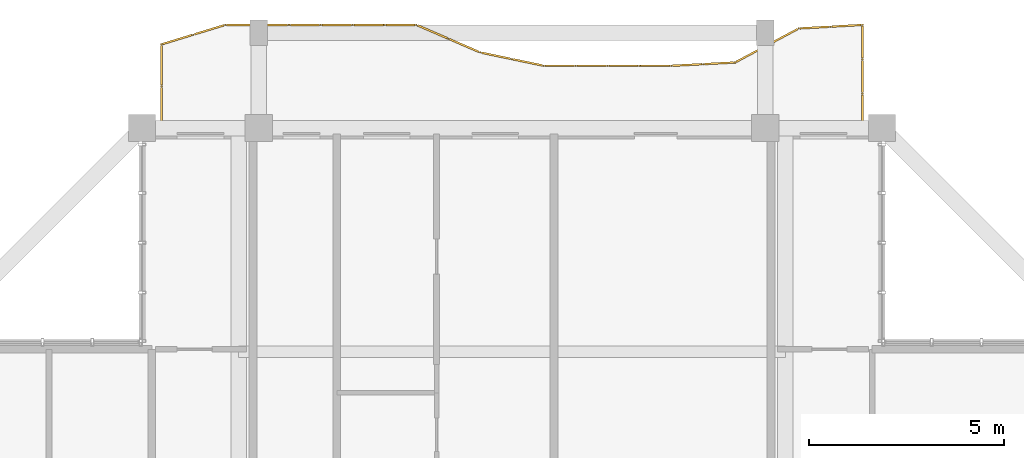
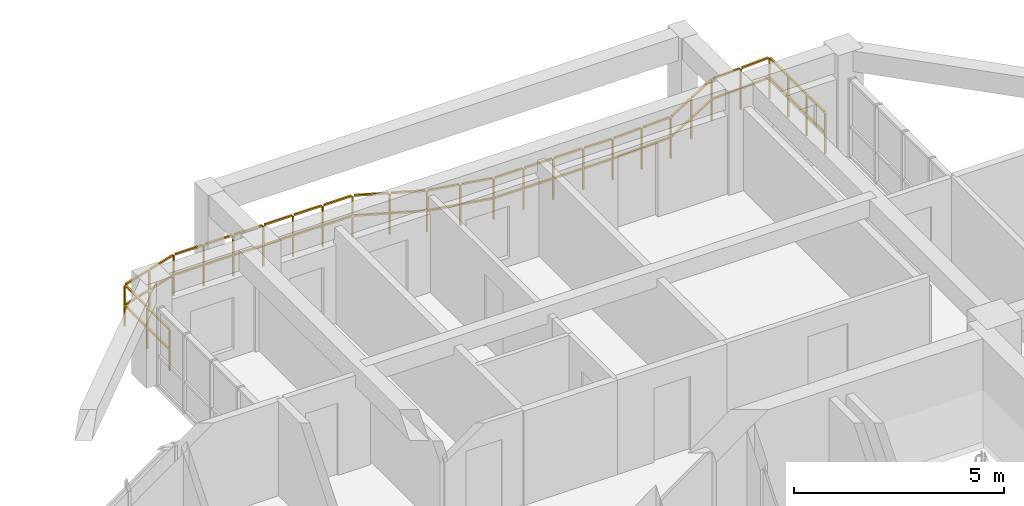
# One storey, part 24 of 24: 1 railing.
"""IFC4 building model written with IfcOpenShell, lengths in metres."""

from ifc_helpers import new_model, si_unit, direction, frame, origin, origin_2d, place, context, subcontext, project, spatial, rectangle, extrude, material, type_object, element, save


model = new_model("IFC4")

# Units and contexts
model_context = context("Model", 3, precision=1e-05, world=origin(), true_north=direction((0.0, 1.0)))
body_context = subcontext(model_context, "Body", "Model", "MODEL_VIEW")
ifc_project = project(units=[si_unit("LENGTHUNIT", "METRE"), si_unit("AREAUNIT", "SQUARE_METRE"), si_unit("VOLUMEUNIT", "CUBIC_METRE"), si_unit("PLANEANGLEUNIT", "RADIAN"), si_unit("MASSUNIT", "GRAM", prefix="KILO")], contexts=[model_context])

# Site, building, storey
site_placement = place(None, origin())
site = spatial("IfcSite", under=ifc_project, at=site_placement, CompositionType="ELEMENT")
building_placement = place(site_placement, origin())
building = spatial("IfcBuilding", under=site, at=building_placement, Name="Saelheon Loggia Tower", CompositionType="ELEMENT")
storey_placement = place(building_placement, frame((0.0, 0.0, 246.0)))
storey = spatial("IfcBuildingStorey", under=building, at=storey_placement, Name="L76", CompositionType="ELEMENT", Elevation=246.0)

# Railing
ifc_material = material(Name="Architectural Precast Concrete and Laminated Glass Guard", Category="concrete")
railing_type = type_object("IfcRailingType", Name="Guard_Loggia_RL_LOG", PredefinedType="BALUSTRADE", material=ifc_material)
railing_placement = place(storey_placement, frame((47.0, 48.0, 0.0)))
element("IfcRailing", 1, at=railing_placement, inside=storey, type_object=railing_type, Name="L76 North Loggia Balustrade", PredefinedType="BALUSTRADE", context=body_context, shape_type="SweptSolid", body=[
    extrude(rectangle(XDim=0.048095703125, YDim=0.048095703125, at=origin_2d()), frame((0.0, 0.033203125, 1.19580078125), z_axis=(0.0, 1.0, 0.0), x_axis=(-1.0, 0.0, 0.0)), (0.0, 0.0, 1.0), 0.81689453125),
    extrude(rectangle(XDim=0.048095703125, YDim=0.048095703125, at=origin_2d()), frame((0.0, 0.033203125, 0.60986328125), z_axis=(0.0, 1.0, 0.0), x_axis=(-1.0, 0.0, 0.0)), (0.0, 0.0, 1.0), 0.81689453125),
    extrude(rectangle(XDim=0.048095703125, YDim=0.048095703125, at=origin_2d()), frame((0.0, 0.91650390625, 1.19580078125), z_axis=(0.0, 1.0, 0.0), x_axis=(-1.0, 0.0, 0.0)), (0.0, 0.0, 1.0), 0.81689453125),
    extrude(rectangle(XDim=0.048095703125, YDim=0.048095703125, at=origin_2d()), frame((0.0, 0.91650390625, 0.60986328125), z_axis=(0.0, 1.0, 0.0), x_axis=(-1.0, 0.0, 0.0)), (0.0, 0.0, 1.0), 0.81689453125),
    extrude(rectangle(XDim=0.048095703125, YDim=0.048095703125, at=origin_2d()), frame((0.0, 1.7998046875, 1.19580078125), z_axis=(0.0, 1.0, 0.0), x_axis=(-1.0, 0.0, 0.0)), (0.0, 0.0, 1.0), 0.81689453125),
    extrude(rectangle(XDim=0.048095703125, YDim=0.048095703125, at=origin_2d()), frame((0.0, 1.7998046875, 0.60986328125), z_axis=(0.0, 1.0, 0.0), x_axis=(-1.0, 0.0, 0.0)), (0.0, 0.0, 1.0), 0.81689453125),
    extrude(rectangle(XDim=0.048095703125, YDim=0.048095703125, at=origin_2d()), frame((-0.033203125, 2.64794921875, 1.19580078125), z_axis=(-0.998447033151, -0.055709263076, 0.0), x_axis=(0.055709263076, -0.998447033151, 0.0)), (0.0, 0.0, 1.0), 0.7529296875),
    extrude(rectangle(XDim=0.048095703125, YDim=0.048095703125, at=origin_2d()), frame((-0.033203125, 2.64794921875, 0.60986328125), z_axis=(-0.998447033151, -0.055709263076, 0.0), x_axis=(0.055709263076, -0.998447033151, 0.0)), (0.0, 0.0, 1.0), 0.7529296875),
    extrude(rectangle(XDim=0.048095703125, YDim=0.048095703125, at=origin_2d()), frame((-0.851318359375, 2.602294921875, 1.19580078125), z_axis=(-0.998447033151, -0.055709263076, 0.0), x_axis=(0.055709263076, -0.998447033151, 0.0)), (0.0, 0.0, 1.0), 0.7529296875),
    extrude(rectangle(XDim=0.048095703125, YDim=0.048095703125, at=origin_2d()), frame((-0.851318359375, 2.602294921875, 0.60986328125), z_axis=(-0.998447033151, -0.055709263076, 0.0), x_axis=(0.055709263076, -0.998447033151, 0.0)), (0.0, 0.0, 1.0), 0.7529296875),
    extrude(rectangle(XDim=0.048095703125, YDim=0.048095703125, at=origin_2d()), frame((-1.665771484375, 2.54296875, 1.19580078125), z_axis=(-0.882210790926, -0.47085467012, 0.0), x_axis=(0.47085467012, -0.882210790926, 0.0)), (0.0, 0.0, 1.0), 0.86083984375),
    extrude(rectangle(XDim=0.048095703125, YDim=0.048095703125, at=origin_2d()), frame((-1.665771484375, 2.54296875, 0.60986328125), z_axis=(-0.882210790926, -0.47085467012, 0.0), x_axis=(0.47085467012, -0.882210790926, 0.0)), (0.0, 0.0, 1.0), 0.86083984375),
    extrude(rectangle(XDim=0.048095703125, YDim=0.048095703125, at=origin_2d()), frame((-2.48388671875, 2.106201171875, 1.19580078125), z_axis=(-0.882210790926, -0.47085467012, 0.0), x_axis=(0.47085467012, -0.882210790926, 0.0)), (0.0, 0.0, 1.0), 0.86083984375),
    extrude(rectangle(XDim=0.048095703125, YDim=0.048095703125, at=origin_2d()), frame((-2.48388671875, 2.106201171875, 0.60986328125), z_axis=(-0.882210790926, -0.47085467012, 0.0), x_axis=(0.47085467012, -0.882210790926, 0.0)), (0.0, 0.0, 1.0), 0.86083984375),
    extrude(rectangle(XDim=0.048095703125, YDim=0.048095703125, at=origin_2d()), frame((-3.305908203125, 1.68359375, 1.19580078125), z_axis=(-0.998647303021, -0.051995809153, 0.0), x_axis=(0.051995809153, -0.998647303021, 0.0)), (0.0, 0.0, 1.0), 0.7529296875),
    extrude(rectangle(XDim=0.048095703125, YDim=0.048095703125, at=origin_2d()), frame((-3.305908203125, 1.68359375, 0.60986328125), z_axis=(-0.998647303021, -0.051995809153, 0.0), x_axis=(0.051995809153, -0.998647303021, 0.0)), (0.0, 0.0, 1.0), 0.7529296875),
    extrude(rectangle(XDim=0.048095703125, YDim=0.048095703125, at=origin_2d()), frame((-4.1240234375, 1.640869140625, 1.19580078125), z_axis=(-0.998647303021, -0.051995809153, 0.0), x_axis=(0.051995809153, -0.998647303021, 0.0)), (0.0, 0.0, 1.0), 0.7529296875),
    extrude(rectangle(XDim=0.048095703125, YDim=0.048095703125, at=origin_2d()), frame((-4.1240234375, 1.640869140625, 0.60986328125), z_axis=(-0.998647303021, -0.051995809153, 0.0), x_axis=(0.051995809153, -0.998647303021, 0.0)), (0.0, 0.0, 1.0), 0.7529296875),
    extrude(rectangle(XDim=0.048095703125, YDim=0.048095703125, at=origin_2d()), frame((-4.9423828125, 1.60009765625, 1.19580078125), z_axis=(-1.0, 0.0, 0.0), x_axis=(0.0, -1.0, 0.0)), (0.0, 0.0, 1.0), 0.751708984375),
    extrude(rectangle(XDim=0.048095703125, YDim=0.048095703125, at=origin_2d()), frame((-4.9423828125, 1.60009765625, 0.60986328125), z_axis=(-1.0, 0.0, 0.0), x_axis=(0.0, -1.0, 0.0)), (0.0, 0.0, 1.0), 0.751708984375),
    extrude(rectangle(XDim=0.048095703125, YDim=0.048095703125, at=origin_2d()), frame((-5.760498046875, 1.60009765625, 1.19580078125), z_axis=(-1.0, 0.0, 0.0), x_axis=(0.0, -1.0, 0.0)), (0.0, 0.0, 1.0), 0.751708984375),
    extrude(rectangle(XDim=0.048095703125, YDim=0.048095703125, at=origin_2d()), frame((-5.760498046875, 1.60009765625, 0.60986328125), z_axis=(-1.0, 0.0, 0.0), x_axis=(0.0, -1.0, 0.0)), (0.0, 0.0, 1.0), 0.751708984375),
    extrude(rectangle(XDim=0.048095703125, YDim=0.048095703125, at=origin_2d()), frame((-6.57861328125, 1.60009765625, 1.19580078125), z_axis=(-1.0, 0.0, 0.0), x_axis=(0.0, -1.0, 0.0)), (0.0, 0.0, 1.0), 0.751708984375),
    extrude(rectangle(XDim=0.048095703125, YDim=0.048095703125, at=origin_2d()), frame((-6.57861328125, 1.60009765625, 0.60986328125), z_axis=(-1.0, 0.0, 0.0), x_axis=(0.0, -1.0, 0.0)), (0.0, 0.0, 1.0), 0.751708984375),
    extrude(rectangle(XDim=0.048095703125, YDim=0.048095703125, at=origin_2d()), frame((-7.39697265625, 1.60009765625, 1.19580078125), z_axis=(-1.0, 0.0, 0.0), x_axis=(0.0, -1.0, 0.0)), (0.0, 0.0, 1.0), 0.751708984375),
    extrude(rectangle(XDim=0.048095703125, YDim=0.048095703125, at=origin_2d()), frame((-7.39697265625, 1.60009765625, 0.60986328125), z_axis=(-1.0, 0.0, 0.0), x_axis=(0.0, -1.0, 0.0)), (0.0, 0.0, 1.0), 0.751708984375),
    extrude(rectangle(XDim=0.048095703125, YDim=0.048095703125, at=origin_2d()), frame((-8.21435546875, 1.60693359375, 1.19580078125), z_axis=(-0.978724518264, 0.205178744876, 0.0), x_axis=(-0.205178744876, -0.978724518264, 0.0)), (0.0, 0.0, 1.0), 0.76953125),
    extrude(rectangle(XDim=0.048095703125, YDim=0.048095703125, at=origin_2d()), frame((-8.21435546875, 1.60693359375, 0.60986328125), z_axis=(-0.978724518264, 0.205178744876, 0.0), x_axis=(-0.205178744876, -0.978724518264, 0.0)), (0.0, 0.0, 1.0), 0.76953125),
    extrude(rectangle(XDim=0.048095703125, YDim=0.048095703125, at=origin_2d()), frame((-9.032470703125, 1.7783203125, 1.19580078125), z_axis=(-0.978724518264, 0.205178744876, 0.0), x_axis=(-0.205178744876, -0.978724518264, 0.0)), (0.0, 0.0, 1.0), 0.76953125),
    extrude(rectangle(XDim=0.048095703125, YDim=0.048095703125, at=origin_2d()), frame((-9.032470703125, 1.7783203125, 0.60986328125), z_axis=(-0.978724518264, 0.205178744876, 0.0), x_axis=(-0.205178744876, -0.978724518264, 0.0)), (0.0, 0.0, 1.0), 0.76953125),
    extrude(rectangle(XDim=0.048095703125, YDim=0.048095703125, at=origin_2d()), frame((-9.8486328125, 1.956298828125, 1.19580078125), z_axis=(-0.918036295354, 0.396496356116, 0.0), x_axis=(-0.396496356116, -0.918036295354, 0.0)), (0.0, 0.0, 1.0), 0.82470703125),
    extrude(rectangle(XDim=0.048095703125, YDim=0.048095703125, at=origin_2d()), frame((-9.8486328125, 1.956298828125, 0.60986328125), z_axis=(-0.918036295354, 0.396496356116, 0.0), x_axis=(-0.396496356116, -0.918036295354, 0.0)), (0.0, 0.0, 1.0), 0.82470703125),
    extrude(rectangle(XDim=0.048095703125, YDim=0.048095703125, at=origin_2d()), frame((-10.666748046875, 2.3095703125, 1.19580078125), z_axis=(-0.918036295354, 0.396496356116, 0.0), x_axis=(-0.396496356116, -0.918036295354, 0.0)), (0.0, 0.0, 1.0), 0.82470703125),
    extrude(rectangle(XDim=0.048095703125, YDim=0.048095703125, at=origin_2d()), frame((-10.666748046875, 2.3095703125, 0.60986328125), z_axis=(-0.918036295354, 0.396496356116, 0.0), x_axis=(-0.396496356116, -0.918036295354, 0.0)), (0.0, 0.0, 1.0), 0.82470703125),
    extrude(rectangle(XDim=0.048095703125, YDim=0.048095703125, at=origin_2d()), frame((-11.48779296875, 2.64990234375, 1.19580078125), z_axis=(-1.0, 0.0, 0.0), x_axis=(0.0, -1.0, 0.0)), (0.0, 0.0, 1.0), 0.751708984375),
    extrude(rectangle(XDim=0.048095703125, YDim=0.048095703125, at=origin_2d()), frame((-11.48779296875, 2.64990234375, 0.60986328125), z_axis=(-1.0, 0.0, 0.0), x_axis=(0.0, -1.0, 0.0)), (0.0, 0.0, 1.0), 0.751708984375),
    extrude(rectangle(XDim=0.048095703125, YDim=0.048095703125, at=origin_2d()), frame((-12.305908203125, 2.64990234375, 1.19580078125), z_axis=(-1.0, 0.0, 0.0), x_axis=(0.0, -1.0, 0.0)), (0.0, 0.0, 1.0), 0.751708984375),
    extrude(rectangle(XDim=0.048095703125, YDim=0.048095703125, at=origin_2d()), frame((-12.305908203125, 2.64990234375, 0.60986328125), z_axis=(-1.0, 0.0, 0.0), x_axis=(0.0, -1.0, 0.0)), (0.0, 0.0, 1.0), 0.751708984375),
    extrude(rectangle(XDim=0.048095703125, YDim=0.048095703125, at=origin_2d()), frame((-13.1240234375, 2.64990234375, 1.19580078125), z_axis=(-1.0, 0.0, 0.0), x_axis=(0.0, -1.0, 0.0)), (0.0, 0.0, 1.0), 0.751708984375),
    extrude(rectangle(XDim=0.048095703125, YDim=0.048095703125, at=origin_2d()), frame((-13.1240234375, 2.64990234375, 0.60986328125), z_axis=(-1.0, 0.0, 0.0), x_axis=(0.0, -1.0, 0.0)), (0.0, 0.0, 1.0), 0.751708984375),
    extrude(rectangle(XDim=0.048095703125, YDim=0.048095703125, at=origin_2d()), frame((-13.9423828125, 2.64990234375, 1.19580078125), z_axis=(-1.0, 0.0, 0.0), x_axis=(0.0, -1.0, 0.0)), (0.0, 0.0, 1.0), 0.751708984375),
    extrude(rectangle(XDim=0.048095703125, YDim=0.048095703125, at=origin_2d()), frame((-13.9423828125, 2.64990234375, 0.60986328125), z_axis=(-1.0, 0.0, 0.0), x_axis=(0.0, -1.0, 0.0)), (0.0, 0.0, 1.0), 0.751708984375),
    extrude(rectangle(XDim=0.048095703125, YDim=0.048095703125, at=origin_2d()), frame((-14.760498046875, 2.64990234375, 1.19580078125), z_axis=(-1.0, 0.0, 0.0), x_axis=(0.0, -1.0, 0.0)), (0.0, 0.0, 1.0), 0.751708984375),
    extrude(rectangle(XDim=0.048095703125, YDim=0.048095703125, at=origin_2d()), frame((-14.760498046875, 2.64990234375, 0.60986328125), z_axis=(-1.0, 0.0, 0.0), x_axis=(0.0, -1.0, 0.0)), (0.0, 0.0, 1.0), 0.751708984375),
    extrude(rectangle(XDim=0.048095703125, YDim=0.048095703125, at=origin_2d()), frame((-15.57861328125, 2.64990234375, 1.19580078125), z_axis=(-1.0, 0.0, 0.0), x_axis=(0.0, -1.0, 0.0)), (0.0, 0.0, 1.0), 0.751708984375),
    extrude(rectangle(XDim=0.048095703125, YDim=0.048095703125, at=origin_2d()), frame((-15.57861328125, 2.64990234375, 0.60986328125), z_axis=(-1.0, 0.0, 0.0), x_axis=(0.0, -1.0, 0.0)), (0.0, 0.0, 1.0), 0.751708984375),
    extrude(rectangle(XDim=0.048095703125, YDim=0.048095703125, at=origin_2d()), frame((-16.395263671875, 2.64013671875, 1.19580078125), z_axis=(-0.956357108762, -0.292200411569, 0.0), x_axis=(0.292200411569, -0.956357108762, 0.0)), (0.0, 0.0, 1.0), 0.7890625),
    extrude(rectangle(XDim=0.048095703125, YDim=0.048095703125, at=origin_2d()), frame((-16.395263671875, 2.64013671875, 0.60986328125), z_axis=(-0.956357108762, -0.292200411569, 0.0), x_axis=(0.292200411569, -0.956357108762, 0.0)), (0.0, 0.0, 1.0), 0.7890625),
    extrude(rectangle(XDim=0.048095703125, YDim=0.048095703125, at=origin_2d()), frame((-17.213623046875, 2.39013671875, 1.19580078125), z_axis=(-0.956357108762, -0.292200411569, 0.0), x_axis=(0.292200411569, -0.956357108762, 0.0)), (0.0, 0.0, 1.0), 0.7890625),
    extrude(rectangle(XDim=0.048095703125, YDim=0.048095703125, at=origin_2d()), frame((-17.213623046875, 2.39013671875, 0.60986328125), z_axis=(-0.956357108762, -0.292200411569, 0.0), x_axis=(0.292200411569, -0.956357108762, 0.0)), (0.0, 0.0, 1.0), 0.7890625),
    extrude(rectangle(XDim=0.048095703125, YDim=0.048095703125, at=origin_2d()), frame((-18.0, 2.11669921875, 1.19580078125), z_axis=(0.0, -1.0, 0.0), x_axis=(1.0, 0.0, 0.0)), (0.0, 0.0, 1.0), 1.008544921875),
    extrude(rectangle(XDim=0.048095703125, YDim=0.048095703125, at=origin_2d()), frame((-18.0, 2.11669921875, 0.60986328125), z_axis=(0.0, -1.0, 0.0), x_axis=(1.0, 0.0, 0.0)), (0.0, 0.0, 1.0), 1.008544921875),
    extrude(rectangle(XDim=0.048095703125, YDim=0.048095703125, at=origin_2d()), frame((-18.0, 1.041748046875, 1.19580078125), z_axis=(0.0, -1.0, 0.0), x_axis=(1.0, 0.0, 0.0)), (0.0, 0.0, 1.0), 1.008544921875),
    extrude(rectangle(XDim=0.048095703125, YDim=0.048095703125, at=origin_2d()), frame((-18.0, 1.041748046875, 0.60986328125), z_axis=(0.0, -1.0, 0.0), x_axis=(1.0, 0.0, 0.0)), (0.0, 0.0, 1.0), 1.008544921875),
    extrude(rectangle(XDim=0.0419921875, YDim=0.0419921875, at=origin_2d()), origin(), (0.0, 0.0, 1.0), 1.16796875),
    extrude(rectangle(XDim=0.0419921875, YDim=0.0419921875, at=origin_2d()), frame((0.0, 0.88330078125, 0.0)), (0.0, 0.0, 1.0), 1.16796875),
    extrude(rectangle(XDim=0.0419921875, YDim=0.0419921875, at=origin_2d()), frame((0.0, 1.7666015625, 0.0)), (0.0, 0.0, 1.0), 1.16796875),
    extrude(rectangle(XDim=0.0419921875, YDim=0.0419921875, at=origin_2d()), frame((0.0, 2.64990234375, 0.0)), (0.0, 0.0, 1.0), 1.16796875),
    extrude(rectangle(XDim=0.0419921875, YDim=0.0419921875, at=origin_2d()), frame((-0.818359375, 2.604248046875, 0.0)), (0.0, 0.0, 1.0), 1.16796875),
    extrude(rectangle(XDim=0.0419921875, YDim=0.0419921875, at=origin_2d()), frame((-1.636474609375, 2.55859375, 0.0)), (0.0, 0.0, 1.0), 1.16796875),
    extrude(rectangle(XDim=0.0419921875, YDim=0.0419921875, at=origin_2d()), frame((-2.45458984375, 2.1220703125, 0.0)), (0.0, 0.0, 1.0), 1.16796875),
    extrude(rectangle(XDim=0.0419921875, YDim=0.0419921875, at=origin_2d()), frame((-3.272705078125, 1.685302734375, 0.0)), (0.0, 0.0, 1.0), 1.16796875),
    extrude(rectangle(XDim=0.0419921875, YDim=0.0419921875, at=origin_2d()), frame((-4.0908203125, 1.642578125, 0.0)), (0.0, 0.0, 1.0), 1.16796875),
    extrude(rectangle(XDim=0.0419921875, YDim=0.0419921875, at=origin_2d()), frame((-4.9091796875, 1.60009765625, 0.0)), (0.0, 0.0, 1.0), 1.16796875),
    extrude(rectangle(XDim=0.0419921875, YDim=0.0419921875, at=origin_2d()), frame((-5.727294921875, 1.60009765625, 0.0)), (0.0, 0.0, 1.0), 1.16796875),
    extrude(rectangle(XDim=0.0419921875, YDim=0.0419921875, at=origin_2d()), frame((-6.54541015625, 1.60009765625, 0.0)), (0.0, 0.0, 1.0), 1.16796875),
    extrude(rectangle(XDim=0.0419921875, YDim=0.0419921875, at=origin_2d()), frame((-7.36376953125, 1.60009765625, 0.0)), (0.0, 0.0, 1.0), 1.16796875),
    extrude(rectangle(XDim=0.0419921875, YDim=0.0419921875, at=origin_2d()), frame((-8.181884765625, 1.60009765625, 0.0)), (0.0, 0.0, 1.0), 1.16796875),
    extrude(rectangle(XDim=0.0419921875, YDim=0.0419921875, at=origin_2d()), frame((-9.0, 1.771484375, 0.0)), (0.0, 0.0, 1.0), 1.16796875),
    extrude(rectangle(XDim=0.0419921875, YDim=0.0419921875, at=origin_2d()), frame((-9.818115234375, 1.943115234375, 0.0)), (0.0, 0.0, 1.0), 1.16796875),
    extrude(rectangle(XDim=0.0419921875, YDim=0.0419921875, at=origin_2d()), frame((-10.63623046875, 2.29638671875, 0.0)), (0.0, 0.0, 1.0), 1.16796875),
    extrude(rectangle(XDim=0.0419921875, YDim=0.0419921875, at=origin_2d()), frame((-11.45458984375, 2.64990234375, 0.0)), (0.0, 0.0, 1.0), 1.16796875),
    extrude(rectangle(XDim=0.0419921875, YDim=0.0419921875, at=origin_2d()), frame((-12.272705078125, 2.64990234375, 0.0)), (0.0, 0.0, 1.0), 1.16796875),
    extrude(rectangle(XDim=0.0419921875, YDim=0.0419921875, at=origin_2d()), frame((-13.0908203125, 2.64990234375, 0.0)), (0.0, 0.0, 1.0), 1.16796875),
    extrude(rectangle(XDim=0.0419921875, YDim=0.0419921875, at=origin_2d()), frame((-13.9091796875, 2.64990234375, 0.0)), (0.0, 0.0, 1.0), 1.16796875),
    extrude(rectangle(XDim=0.0419921875, YDim=0.0419921875, at=origin_2d()), frame((-14.727294921875, 2.64990234375, 0.0)), (0.0, 0.0, 1.0), 1.16796875),
    extrude(rectangle(XDim=0.0419921875, YDim=0.0419921875, at=origin_2d()), frame((-15.54541015625, 2.64990234375, 0.0)), (0.0, 0.0, 1.0), 1.16796875),
    extrude(rectangle(XDim=0.0419921875, YDim=0.0419921875, at=origin_2d()), frame((-16.363525390625, 2.64990234375, 0.0)), (0.0, 0.0, 1.0), 1.16796875),
    extrude(rectangle(XDim=0.0419921875, YDim=0.0419921875, at=origin_2d()), frame((-17.181640625, 2.39990234375, 0.0)), (0.0, 0.0, 1.0), 1.16796875),
    extrude(rectangle(XDim=0.0419921875, YDim=0.0419921875, at=origin_2d()), frame((-18.0, 2.14990234375, 0.0)), (0.0, 0.0, 1.0), 1.16796875),
    extrude(rectangle(XDim=0.0419921875, YDim=0.0419921875, at=origin_2d()), frame((-18.0, 1.074951171875, 0.0)), (0.0, 0.0, 1.0), 1.16796875),
    extrude(rectangle(XDim=0.0419921875, YDim=0.0419921875, at=origin_2d()), frame((-18.0, 0.0, 0.0)), (0.0, 0.0, 1.0), 1.16796875),
])

save(model, "model.ifc")
